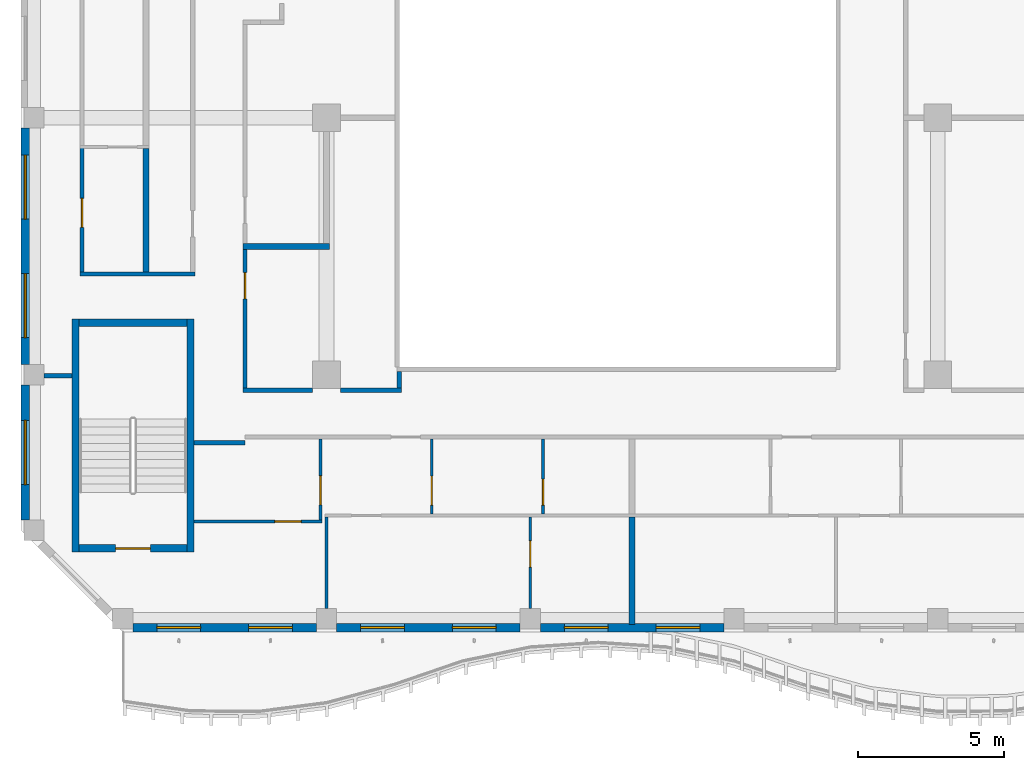
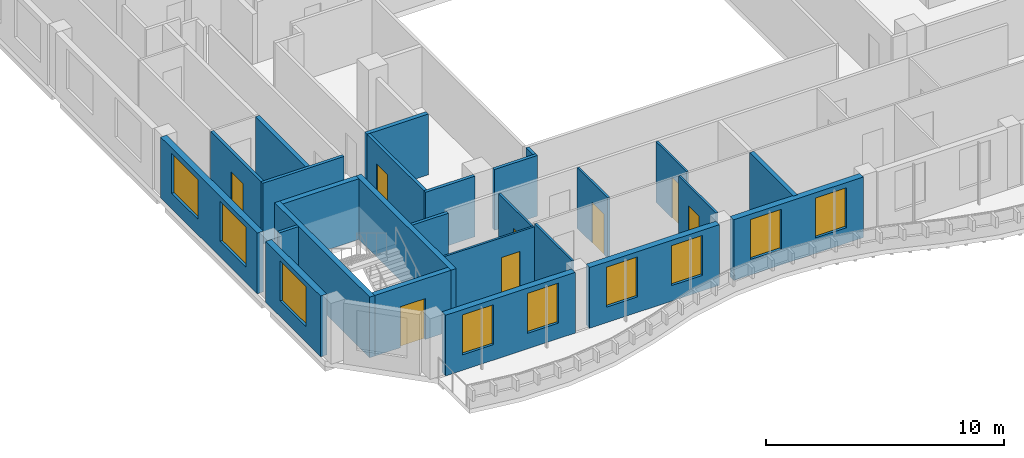
# One storey, part 2 of 18: 26 walls, 9 windows, 8 doors, 17 openings.
"""IFC4 building model written with IfcOpenShell, lengths in metres."""

from ifc_helpers import new_model, si_unit, direction, frame, frame_2d, origin, place, context, subcontext, project, spatial, rectangle, extrude, source, transform, mapped, material, layer, layer_set, type_object, element, fill, save


model = new_model("IFC4")

# Units and contexts
model_context = context("Model", 3, precision=1e-05, world=origin(), true_north=direction((0.0, 1.0)))
body_context = subcontext(model_context, "Body", "Model", "MODEL_VIEW")
ifc_project = project(units=[si_unit("LENGTHUNIT", "METRE"), si_unit("AREAUNIT", "SQUARE_METRE"), si_unit("VOLUMEUNIT", "CUBIC_METRE"), si_unit("PLANEANGLEUNIT", "RADIAN"), si_unit("MASSUNIT", "GRAM", prefix="KILO")], contexts=[model_context])

# Site, building, storey
site_placement = place(None, origin())
site = spatial("IfcSite", under=ifc_project, at=site_placement, CompositionType="ELEMENT")
building_placement = place(site_placement, origin())
building = spatial("IfcBuilding", under=site, at=building_placement, Name="Kilnfold Tower and Market Hall", CompositionType="ELEMENT")
storey_placement = place(building_placement, frame((0.0, 0.0, 249.199951171875)))
storey = spatial("IfcBuildingStorey", under=building, at=storey_placement, Name="L60", CompositionType="ELEMENT", Elevation=249.199951171875)

# Wall, opening, door
ifc_material_1 = material(Name="Gypsum board on steel studs", Category="steel")
ifc_layer_1 = layer(ifc_material_1, 0.14990234375)
ifc_layer_set_1 = layer_set([ifc_layer_1], Name="Gypsum board on steel studs")
wall_type_1 = type_object("IfcWallType", Name="WALL CORRIDOR 150", PredefinedType="PARTITIONING", material=ifc_layer_set_1)
wall_1_placement = place(storey_placement, frame((-17.39990234375, -6.125, 0.0), z_axis=(0.0, 0.0, 1.0), x_axis=(0.0, 1.0, 0.0)))
wall_1 = element("IfcWall", 1, at=wall_1_placement, inside=storey, type_object=wall_type_1, Name="Partition LY37.1", PredefinedType="PARTITIONING", context=body_context, shape_type="SweptSolid", body=[
    extrude(rectangle(XDim=4.25390625, YDim=0.14990234375, at=frame_2d((2.126953125, 0.0))), origin(), (0.0, 0.0, 1.0), 3.1201171875),
])
opening_1_placement = place(wall_1_placement, frame((1.52490234375, 0.0, 0.0)))
opening_1 = element("IfcOpeningElement", 2, at=opening_1_placement, cuts=wall_1, Name="Opening D1", PredefinedType="OPENING", context=body_context, shape_type="SweptSolid", body=[
    extrude(rectangle(XDim=1.0, YDim=2.10009765625, at=frame_2d((0.5, 1.050048828125))), frame((0.0, 0.0849609375, 0.0), z_axis=(0.0, -1.0, 0.0), x_axis=(1.0, 0.0, 0.0)), (0.0, 0.0, 1.0), 0.169921875),
])
ifc_material_2 = material(Name="Timber veneer door leaf in steel frame", Category="steel")
door_type_1 = type_object("IfcDoorType", Name="DOOR ENTRY 1000 X2100", OperationType="NOTDEFINED", PredefinedType="DOOR", material=ifc_material_2)
door_1_placement = place(opening_1_placement, origin())
door_1 = element("IfcDoor", 3, at=door_1_placement, inside=storey, type_object=door_type_1, Name="Door D1", OperationType="SINGLE_SWING_RIGHT", OverallHeight=2.10009765625, OverallWidth=1.0, PredefinedType="DOOR", context=body_context, shape_type="SweptSolid", body=[
    extrude(rectangle(XDim=1.0, YDim=2.10009765625, at=frame_2d((0.5, 1.050048828125))), frame((0.0, 0.02490234375, 0.0), z_axis=(0.0, -1.0, 0.0), x_axis=(1.0, 0.0, 0.0)), (0.0, 0.0, 1.0), 0.050048828125),
])
fill(opening_1, door_1)

# Walls
wall_2_placement = place(storey_placement, frame((-17.47509765625, -6.199951171875, 0.0), z_axis=(0.0, 0.0, 1.0), x_axis=(1.0, 0.0, 0.0)))
element("IfcWall", 4, at=wall_2_placement, inside=storey, type_object=wall_type_1, Name="Partition LY37.2", PredefinedType="PARTITIONING", context=body_context, shape_type="SweptSolid", body=[
    extrude(rectangle(XDim=3.9501953125, YDim=0.14990234375, at=frame_2d((1.97509765625, 0.0))), origin(), (0.0, 0.0, 1.0), 3.1201171875),
])
wall_3_placement = place(storey_placement, frame((-13.550048828125, -12.0, 0.0), z_axis=(0.0, 0.0, 1.0), x_axis=(1.0, 0.0, 0.0)))
element("IfcWall", 5, at=wall_3_placement, inside=storey, type_object=wall_type_1, Name="Partition LY37.10", PredefinedType="PARTITIONING", context=body_context, shape_type="SweptSolid", body=[
    extrude(rectangle(XDim=1.75, YDim=0.14990234375, at=frame_2d((0.875, 0.0))), origin(), (0.0, 0.0, 1.0), 3.1201171875),
])
wall_4_placement = place(storey_placement, frame((-18.699951171875, -9.699951171875, 0.0), z_axis=(0.0, 0.0, 1.0), x_axis=(1.0, 0.0, 0.0)))
element("IfcWall", 6, at=wall_4_placement, inside=storey, type_object=wall_type_1, Name="Partition LY37.11", PredefinedType="PARTITIONING", context=body_context, shape_type="SweptSolid", body=[
    extrude(rectangle(XDim=0.949951171875, YDim=0.14990234375, at=frame_2d((0.47509765625, 0.0))), origin(), (0.0, 0.0, 1.0), 3.1201171875),
])

# Wall, opening, door
wall_5_placement = place(storey_placement, frame((-11.800048828125, -10.125, 0.0), z_axis=(0.0, 0.0, 1.0), x_axis=(0.0, 1.0, 0.0)))
wall_5 = element("IfcWall", 7, at=wall_5_placement, inside=storey, type_object=wall_type_1, Name="Partition LY37.36", PredefinedType="PARTITIONING", context=body_context, shape_type="SweptSolid", body=[
    extrude(rectangle(XDim=4.784912109375, YDim=0.14990234375, at=frame_2d((2.392578125, 0.0))), origin(), (0.0, 0.0, 1.0), 3.1201171875),
])
opening_2_placement = place(wall_5_placement, frame((3.070068359375, 0.0, 0.0)))
opening_2 = element("IfcOpeningElement", 8, at=opening_2_placement, cuts=wall_5, Name="Opening D2", PredefinedType="OPENING", context=body_context, shape_type="SweptSolid", body=[
    extrude(rectangle(XDim=0.89990234375, YDim=2.10009765625, at=frame_2d((0.449951171875, 1.050048828125))), frame((0.0, 0.0849609375, 0.0), z_axis=(0.0, -1.0, 0.0), x_axis=(1.0, 0.0, 0.0)), (0.0, 0.0, 1.0), 0.169921875),
])
ifc_material_3 = material(Name="Timber veneer door leaf in steel frame", Category="steel")
door_type_2 = type_object("IfcDoorType", Name="DOOR ROOM 900 X2100", OperationType="NOTDEFINED", PredefinedType="DOOR", material=ifc_material_3)
door_2_placement = place(opening_2_placement, origin())
door_2 = element("IfcDoor", 9, at=door_2_placement, inside=storey, type_object=door_type_2, Name="Door D2", OperationType="SINGLE_SWING_LEFT", OverallHeight=2.10009765625, OverallWidth=0.89990234375, PredefinedType="DOOR", context=body_context, shape_type="SweptSolid", body=[
    extrude(rectangle(XDim=0.89990234375, YDim=2.10009765625, at=frame_2d((0.449951171875, 1.050048828125))), frame((0.0, 0.02490234375, 0.0), z_axis=(0.0, -1.0, 0.0), x_axis=(1.0, 0.0, 0.0)), (0.0, 0.0, 1.0), 0.050048828125),
])
fill(opening_2, door_2)

# Walls
wall_6_placement = place(storey_placement, frame((-8.52490234375, -10.199951171875, 0.0), z_axis=(0.0, 0.0, 1.0), x_axis=(1.0, 0.0, 0.0)))
element("IfcWall", 10, at=wall_6_placement, inside=storey, type_object=wall_type_1, Name="Partition LY37.37", PredefinedType="PARTITIONING", context=body_context, shape_type="SweptSolid", body=[
    extrude(rectangle(XDim=2.099853515625, YDim=0.14990234375, at=frame_2d((1.0498046875, 0.0))), origin(), (0.0, 0.0, 1.0), 3.1201171875),
])
wall_7_placement = place(storey_placement, frame((-11.875, -10.199951171875, 0.0), z_axis=(0.0, 0.0, 1.0), x_axis=(1.0, 0.0, 0.0)))
element("IfcWall", 11, at=wall_7_placement, inside=storey, type_object=wall_type_1, Name="Partition LY37.38", PredefinedType="PARTITIONING", context=body_context, shape_type="SweptSolid", body=[
    extrude(rectangle(XDim=2.39990234375, YDim=0.14990234375, at=frame_2d((1.199951171875, 0.0))), origin(), (0.0, 0.0, 1.0), 3.1201171875),
])
wall_8_placement = place(storey_placement, frame((-6.5, -9.550048828125, 0.0), z_axis=(0.0, 0.0, 1.0), x_axis=(0.0, -1.0, 0.0)))
element("IfcWall", 12, at=wall_8_placement, inside=storey, type_object=wall_type_1, Name="Partition LY37.39", PredefinedType="PARTITIONING", context=body_context, shape_type="SweptSolid", body=[
    extrude(rectangle(XDim=0.574951171875, YDim=0.14990234375, at=frame_2d((0.28759765625, 0.0))), origin(), (0.0, 0.0, 1.0), 3.1201171875),
])

# Wall, opening, door
ifc_material_4 = material(Name="Gypsum board on steel studs", Category="steel")
ifc_layer_2 = layer(ifc_material_4, 0.10009765625)
ifc_layer_set_2 = layer_set([ifc_layer_2], Name="Gypsum board on steel studs")
wall_type_2 = type_object("IfcWallType", Name="WALL PARTITION 100", PredefinedType="PARTITIONING", material=ifc_layer_set_2)
wall_9_placement = place(storey_placement, frame((-9.2099609375, -14.64990234375, 0.0), z_axis=(0.0, 0.0, 1.0), x_axis=(0.0, 1.0, 0.0)))
wall_9 = element("IfcWall", 13, at=wall_9_placement, inside=storey, type_object=wall_type_2, Name="Partition LY37.56", PredefinedType="PARTITIONING", context=body_context, shape_type="SweptSolid", body=[
    extrude(rectangle(XDim=2.77294921875, YDim=0.10009765625, at=frame_2d((1.386474609375, 0.0))), origin(), (0.0, 0.0, 1.0), 3.1201171875),
])
opening_3_placement = place(wall_9_placement, frame((0.51708984375, 0.0, 0.0)))
opening_3 = element("IfcOpeningElement", 14, at=opening_3_placement, cuts=wall_9, Name="Opening D1", PredefinedType="OPENING", context=body_context, shape_type="SweptSolid", body=[
    extrude(rectangle(XDim=1.0, YDim=2.10009765625, at=frame_2d((0.5, 1.050048828125))), frame((0.0, 0.06005859375, 0.0), z_axis=(0.0, -1.0, 0.0), x_axis=(1.0, 0.0, 0.0)), (0.0, 0.0, 1.0), 0.1201171875),
])
door_3_placement = place(opening_3_placement, origin())
door_3 = element("IfcDoor", 15, at=door_3_placement, inside=storey, type_object=door_type_1, Name="Door D1", OperationType="SINGLE_SWING_LEFT", OverallHeight=2.10009765625, OverallWidth=1.0, PredefinedType="DOOR", context=body_context, shape_type="SweptSolid", body=[
    extrude(rectangle(XDim=1.0, YDim=2.10009765625, at=frame_2d((0.5, 1.050048828125))), frame((0.0, 0.02490234375, 0.0), z_axis=(0.0, -1.0, 0.0), x_axis=(1.0, 0.0, 0.0)), (0.0, 0.0, 1.0), 0.050048828125),
])
fill(opening_3, door_3)

wall_10_placement = place(storey_placement, frame((-13.550048828125, -14.699951171875, 0.0), z_axis=(0.0, 0.0, 1.0), x_axis=(1.0, 0.0, 0.0)))
wall_10 = element("IfcWall", 16, at=wall_10_placement, inside=storey, type_object=wall_type_2, Name="Partition LY37.57", PredefinedType="PARTITIONING", context=body_context, shape_type="SweptSolid", body=[
    extrude(rectangle(XDim=4.39013671875, YDim=0.10009765625, at=frame_2d((2.195068359375, 0.0))), origin(), (0.0, 0.0, 1.0), 3.1201171875),
])
opening_4_placement = place(wall_10_placement, frame((2.77490234375, 0.0, 0.0)))
opening_4 = element("IfcOpeningElement", 17, at=opening_4_placement, cuts=wall_10, Name="Opening D2", PredefinedType="OPENING", context=body_context, shape_type="SweptSolid", body=[
    extrude(rectangle(XDim=0.89990234375, YDim=2.10009765625, at=frame_2d((0.449951171875, 1.050048828125))), frame((0.0, 0.06005859375, 0.0), z_axis=(0.0, -1.0, 0.0), x_axis=(1.0, 0.0, 0.0)), (0.0, 0.0, 1.0), 0.1201171875),
])
door_4_placement = place(opening_4_placement, origin())
door_4 = element("IfcDoor", 18, at=door_4_placement, inside=storey, type_object=door_type_2, Name="Door D2", OperationType="SINGLE_SWING_RIGHT", OverallHeight=2.10009765625, OverallWidth=0.89990234375, PredefinedType="DOOR", context=body_context, shape_type="SweptSolid", body=[
    extrude(rectangle(XDim=0.89990234375, YDim=2.10009765625, at=frame_2d((0.449951171875, 1.050048828125))), frame((0.0, 0.02490234375, 0.0), z_axis=(0.0, -1.0, 0.0), x_axis=(1.0, 0.0, 0.0)), (0.0, 0.0, 1.0), 0.050048828125),
])
fill(opening_4, door_4)

wall_11_placement = place(storey_placement, frame((-5.385009765625, -14.449951171875, 0.0), z_axis=(0.0, 0.0, 1.0), x_axis=(0.0, 1.0, 0.0)))
wall_11 = element("IfcWall", 19, at=wall_11_placement, inside=storey, type_object=wall_type_2, Name="Partition LY37.58", PredefinedType="PARTITIONING", context=body_context, shape_type="SweptSolid", body=[
    extrude(rectangle(XDim=2.572998046875, YDim=0.10009765625, at=frame_2d((1.28662109375, 0.0))), origin(), (0.0, 0.0, 1.0), 3.1201171875),
])
opening_5_placement = place(wall_11_placement, frame((0.306884765625, 0.0, 0.0)))
opening_5 = element("IfcOpeningElement", 20, at=opening_5_placement, cuts=wall_11, Name="Opening D1", PredefinedType="OPENING", context=body_context, shape_type="SweptSolid", body=[
    extrude(rectangle(XDim=1.0, YDim=2.10009765625, at=frame_2d((0.5, 1.050048828125))), frame((0.0, 0.06005859375, 0.0), z_axis=(0.0, -1.0, 0.0), x_axis=(1.0, 0.0, 0.0)), (0.0, 0.0, 1.0), 0.1201171875),
])
door_5_placement = place(opening_5_placement, origin())
door_5 = element("IfcDoor", 21, at=door_5_placement, inside=storey, type_object=door_type_1, Name="Door D1", OperationType="SINGLE_SWING_RIGHT", OverallHeight=2.10009765625, OverallWidth=1.0, PredefinedType="DOOR", context=body_context, shape_type="SweptSolid", body=[
    extrude(rectangle(XDim=1.0, YDim=2.10009765625, at=frame_2d((0.5, 1.050048828125))), frame((0.0, 0.02490234375, 0.0), z_axis=(0.0, -1.0, 0.0), x_axis=(1.0, 0.0, 0.0)), (0.0, 0.0, 1.0), 0.050048828125),
])
fill(opening_5, door_5)

wall_12_placement = place(storey_placement, frame((-1.56005859375, -14.449951171875, 0.0), z_axis=(0.0, 0.0, 1.0), x_axis=(0.0, 1.0, 0.0)))
wall_12 = element("IfcWall", 22, at=wall_12_placement, inside=storey, type_object=wall_type_2, Name="Partition LY37.60", PredefinedType="PARTITIONING", context=body_context, shape_type="SweptSolid", body=[
    extrude(rectangle(XDim=2.572998046875, YDim=0.10009765625, at=frame_2d((1.28662109375, 0.0))), origin(), (0.0, 0.0, 1.0), 3.1201171875),
])
opening_6_placement = place(wall_12_placement, frame((0.305908203125, 0.0, 0.0)))
opening_6 = element("IfcOpeningElement", 23, at=opening_6_placement, cuts=wall_12, Name="Opening D2", PredefinedType="OPENING", context=body_context, shape_type="SweptSolid", body=[
    extrude(rectangle(XDim=0.89990234375, YDim=2.10009765625, at=frame_2d((0.449951171875, 1.050048828125))), frame((0.0, 0.06005859375, 0.0), z_axis=(0.0, -1.0, 0.0), x_axis=(1.0, 0.0, 0.0)), (0.0, 0.0, 1.0), 0.1201171875),
])
door_6_placement = place(opening_6_placement, origin())
door_6 = element("IfcDoor", 24, at=door_6_placement, inside=storey, type_object=door_type_2, Name="Door D2", OperationType="SINGLE_SWING_RIGHT", OverallHeight=2.10009765625, OverallWidth=0.89990234375, PredefinedType="DOOR", context=body_context, shape_type="SweptSolid", body=[
    extrude(rectangle(XDim=0.89990234375, YDim=2.10009765625, at=frame_2d((0.449951171875, 1.050048828125))), frame((0.0, 0.02490234375, 0.0), z_axis=(0.0, -1.0, 0.0), x_axis=(1.0, 0.0, 0.0)), (0.0, 0.0, 1.0), 0.050048828125),
])
fill(opening_6, door_6)

# Wall
wall_13_placement = place(storey_placement, frame((-9.0, -17.699951171875, 0.0), z_axis=(0.0, 0.0, 1.0), x_axis=(0.0, 1.0, 0.0)))
element("IfcWall", 25, at=wall_13_placement, inside=storey, type_object=wall_type_2, Name="Partition LY37.62", PredefinedType="PARTITIONING", context=body_context, shape_type="SweptSolid", body=[
    extrude(rectangle(XDim=3.14794921875, YDim=0.10009765625, at=frame_2d((1.573974609375, 0.0))), origin(), (0.0, 0.0, 1.0), 3.1201171875),
])

# Wall, opening, door
wall_14_placement = place(storey_placement, frame((-2.0, -17.699951171875, 0.0), z_axis=(0.0, 0.0, 1.0), x_axis=(0.0, 1.0, 0.0)))
wall_14 = element("IfcWall", 26, at=wall_14_placement, inside=storey, type_object=wall_type_2, Name="Partition LY37.63", PredefinedType="PARTITIONING", context=body_context, shape_type="SweptSolid", body=[
    extrude(rectangle(XDim=3.14794921875, YDim=0.10009765625, at=frame_2d((1.573974609375, 0.0))), origin(), (0.0, 0.0, 1.0), 3.1201171875),
])
opening_7_placement = place(wall_14_placement, frame((1.431884765625, 0.0, 0.0)))
opening_7 = element("IfcOpeningElement", 27, at=opening_7_placement, cuts=wall_14, Name="Opening D2", PredefinedType="OPENING", context=body_context, shape_type="SweptSolid", body=[
    extrude(rectangle(XDim=0.89990234375, YDim=2.10009765625, at=frame_2d((0.449951171875, 1.050048828125))), frame((0.0, 0.06005859375, 0.0), z_axis=(0.0, -1.0, 0.0), x_axis=(1.0, 0.0, 0.0)), (0.0, 0.0, 1.0), 0.1201171875),
])
door_7_placement = place(opening_7_placement, origin())
door_7 = element("IfcDoor", 28, at=door_7_placement, inside=storey, type_object=door_type_2, Name="Door D2", OperationType="SINGLE_SWING_LEFT", OverallHeight=2.10009765625, OverallWidth=0.89990234375, PredefinedType="DOOR", context=body_context, shape_type="SweptSolid", body=[
    extrude(rectangle(XDim=0.89990234375, YDim=2.10009765625, at=frame_2d((0.449951171875, 1.050048828125))), frame((0.0, 0.02490234375, 0.0), z_axis=(0.0, -1.0, 0.0), x_axis=(1.0, 0.0, 0.0)), (0.0, 0.0, 1.0), 0.050048828125),
])
fill(opening_7, door_7)

# Walls
ifc_material_5 = material(Name="Gypsum board on steel studs", Category="steel")
ifc_layer_3 = layer(ifc_material_5, 0.199951171875)
ifc_layer_set_3 = layer_set([ifc_layer_3], Name="Gypsum board on steel studs")
wall_type_3 = type_object("IfcWallType", Name="WALL PARTY 200", PredefinedType="PARTITIONING", material=ifc_layer_set_3)
wall_15_placement = place(storey_placement, frame((-15.199951171875, -6.123046875, 0.0), z_axis=(0.0, 0.0, 1.0), x_axis=(0.0, 1.0, 0.0)))
element("IfcWall", 29, at=wall_15_placement, inside=storey, type_object=wall_type_3, Name="Partition LY37.51", PredefinedType="PARTITIONING", context=body_context, shape_type="SweptSolid", body=[
    extrude(rectangle(XDim=4.241943359375, YDim=0.199951171875, at=frame_2d((2.12109375, 0.0))), origin(), (0.0, 0.0, 1.0), 3.1201171875),
])
wall_16_placement = place(storey_placement, frame((1.5, -18.25, 0.0), z_axis=(0.0, 0.0, 1.0), x_axis=(0.0, 1.0, 0.0)))
element("IfcWall", 30, at=wall_16_placement, inside=storey, type_object=wall_type_3, Name="Partition LY37.64", PredefinedType="PARTITIONING", context=body_context, shape_type="SweptSolid", body=[
    extrude(rectangle(XDim=3.697998046875, YDim=0.199951171875, at=frame_2d((1.84912109375, 0.0))), origin(), (0.0, 0.0, 1.0), 3.1201171875),
])
wall_17_placement = place(storey_placement, frame((-11.873046875, -5.25, 0.0), z_axis=(0.0, 0.0, 1.0), x_axis=(1.0, 0.0, 0.0)))
element("IfcWall", 31, at=wall_17_placement, inside=storey, type_object=wall_type_3, Name="Partition LY37.102", PredefinedType="PARTITIONING", context=body_context, shape_type="SweptSolid", body=[
    extrude(rectangle(XDim=2.97314453125, YDim=0.199951171875, at=frame_2d((1.486572265625, 0.0))), origin(), (0.0, 0.0, 1.0), 3.1201171875),
])

# Wall, opening, door
ifc_material_6 = material(Name="Concrete C60", Category="concrete")
ifc_layer_4 = layer(ifc_material_6, 0.25)
ifc_layer_set_4 = layer_set([ifc_layer_4], Name="Concrete C60")
wall_type_4 = type_object("IfcWallType", Name="CORE WALL 250 C60", PredefinedType="SHEAR", material=ifc_layer_set_4)
shared_shape_1 = source(origin(), body_context, "Body", "SweptSolid", [
    extrude(rectangle(XDim=3.699951171875, YDim=0.25, at=frame_2d((1.85009765625, 0.0))), origin(), (0.0, 0.0, 1.0), 3.1201171875),
])
wall_18_placement = place(storey_placement, frame((-17.5, -15.625, 0.0), z_axis=(0.0, 0.0, 1.0), x_axis=(1.0, 0.0, 0.0)))
wall_18 = element("IfcWall", 32, at=wall_18_placement, inside=storey, type_object=wall_type_4, Name="Stair enclosure ST3", PredefinedType="SHEAR", context=body_context, shape_type="MappedRepresentation", body=[
    mapped(shared_shape_1, transform((0.0, 0.0, 0.0))),
])
opening_8_placement = place(wall_18_placement, frame((1.25, 0.0, 0.0)))
opening_8 = element("IfcOpeningElement", 33, at=opening_8_placement, cuts=wall_18, Name="Opening SD1", PredefinedType="OPENING", context=body_context, shape_type="SweptSolid", body=[
    extrude(rectangle(XDim=1.199951171875, YDim=2.10009765625, at=frame_2d((0.60009765625, 1.050048828125))), frame((0.0, 0.135009765625, 0.0), z_axis=(0.0, -1.0, 0.0), x_axis=(1.0, 0.0, 0.0)), (0.0, 0.0, 1.0), 0.27001953125),
])
ifc_material_7 = material(Name="Steel door set with fire-resisting leaf", Category="steel")
door_type_3 = type_object("IfcDoorType", Name="STAIR FLOOR DOOR 1200X2100", OperationType="NOTDEFINED", PredefinedType="DOOR", material=ifc_material_7)
door_8_placement = place(opening_8_placement, origin())
door_8 = element("IfcDoor", 34, at=door_8_placement, inside=storey, type_object=door_type_3, Name="Exit stair ST3 door", OperationType="DOUBLE_DOOR_SINGLE_SWING", OverallHeight=2.10009765625, OverallWidth=1.199951171875, PredefinedType="DOOR", context=body_context, shape_type="SweptSolid", body=[
    extrude(rectangle(XDim=1.199951171875, YDim=2.10009765625, at=frame_2d((0.60009765625, 1.050048828125))), frame((0.0, 0.02490234375, 0.0), z_axis=(0.0, -1.0, 0.0), x_axis=(1.0, 0.0, 0.0)), (0.0, 0.0, 1.0), 0.050048828125),
])
fill(opening_8, door_8)

# Walls
wall_19_placement = place(storey_placement, frame((-17.5, -7.875, 0.0), z_axis=(0.0, 0.0, 1.0), x_axis=(1.0, 0.0, 0.0)))
element("IfcWall", 35, at=wall_19_placement, inside=storey, type_object=wall_type_4, Name="Stair enclosure ST3", PredefinedType="SHEAR", context=body_context, shape_type="MappedRepresentation", body=[
    mapped(shared_shape_1, transform((0.0, 0.0, 0.0))),
])
shared_shape_2 = source(origin(), body_context, "Body", "SweptSolid", [
    extrude(rectangle(XDim=8.0, YDim=0.25, at=frame_2d((4.0, 0.0))), origin(), (0.0, 0.0, 1.0), 3.1201171875),
])
for number, where, z_axis, x_axis, name in (
    (36, (-17.625, -15.75, 0.0), (0.0, 0.0, 1.0), (0.0, 1.0, 0.0), "Stair enclosure ST3"),
    (37, (-13.675048828125, -15.75, 0.0), (0.0, 0.0, 1.0), (0.0, 1.0, 0.0), "Stair enclosure ST3"),
):
    element("IfcWall", number, at=place(storey_placement, frame(where, z_axis=z_axis, x_axis=x_axis)), inside=storey, type_object=wall_type_4, Name=name, PredefinedType="SHEAR", context=body_context, shape_type="MappedRepresentation", body=[
        mapped(shared_shape_2, transform((0.0, 0.0, 0.0))),
    ])

# Wall, openings, windows
ifc_material_8 = material(Name="Precast concrete C50/60", Category="concrete")
ifc_layer_5 = layer(ifc_material_8, 0.300048828125)
ifc_layer_set_5 = layer_set([ifc_layer_5], Name="Precast concrete C50/60")
wall_type_5 = type_object("IfcWallType", Name="PRECAST WALL 300", PredefinedType="SOLIDWALL", material=ifc_layer_set_5)
shared_shape_3 = source(origin(), body_context, "Body", "SweptSolid", [
    extrude(rectangle(XDim=6.2998046875, YDim=0.300048828125, at=frame_2d((3.14990234375, 0.0))), origin(), (0.0, 0.0, 1.0), 3.1201171875),
])
wall_20_placement = place(storey_placement, frame((-15.64990234375, -18.35009765625, 0.0), z_axis=(0.0, 0.0, 1.0), x_axis=(1.0, 0.0, 0.0)))
wall_20 = element("IfcWall", 38, at=wall_20_placement, inside=storey, type_object=wall_type_5, Name="External wall L60 S", PredefinedType="SOLIDWALL", context=body_context, shape_type="MappedRepresentation", body=[
    mapped(shared_shape_3, transform((0.0, 0.0, 0.0))),
])
opening_9_placement = place(wall_20_placement, frame((0.824951171875, 0.0, 0.800048828125)))
opening_9 = element("IfcOpeningElement", 39, at=opening_9_placement, cuts=wall_20, Name="Opening W5", PredefinedType="OPENING", context=body_context, shape_type="SweptSolid", body=[
    extrude(rectangle(XDim=1.5, YDim=2.050048828125, at=frame_2d((0.75, 1.02490234375))), frame((0.0, 0.16015625, 0.0), z_axis=(0.0, -1.0, 0.0), x_axis=(1.0, 0.0, 0.0)), (0.0, 0.0, 1.0), 0.320068359375),
])
opening_10_placement = place(wall_20_placement, frame((3.97509765625, 0.0, 0.800048828125)))
opening_10 = element("IfcOpeningElement", 40, at=opening_10_placement, cuts=wall_20, Name="Opening W5", PredefinedType="OPENING", context=body_context, shape_type="SweptSolid", body=[
    extrude(rectangle(XDim=1.5, YDim=2.050048828125, at=frame_2d((0.75, 1.02490234375))), frame((0.0, 0.16015625, 0.0), z_axis=(0.0, -1.0, 0.0), x_axis=(1.0, 0.0, 0.0)), (0.0, 0.0, 1.0), 0.320068359375),
])
ifc_material_9 = material(Name="Aluminium frame and double glazing", Category="aluminium")
window_type_1 = type_object("IfcWindowType", Name="WINDOW W5 1500X2050", PartitioningType="SINGLE_PANEL", PredefinedType="WINDOW", material=ifc_material_9)
window_1_placement = place(opening_9_placement, origin())
window_1 = element("IfcWindow", 41, at=window_1_placement, inside=storey, type_object=window_type_1, Name="Window W5 L60 S-1", OverallHeight=2.050048828125, OverallWidth=1.5, PartitioningType="SINGLE_PANEL", PredefinedType="WINDOW", context=body_context, shape_type="SweptSolid", body=[
    extrude(rectangle(XDim=1.5, YDim=2.050048828125, at=frame_2d((0.75, 1.02490234375))), frame((0.0, 0.030029296875, 0.0), z_axis=(0.0, -1.0, 0.0), x_axis=(1.0, 0.0, 0.0)), (0.0, 0.0, 1.0), 0.06005859375),
])
fill(opening_9, window_1)
window_2_placement = place(opening_10_placement, origin())
window_2 = element("IfcWindow", 42, at=window_2_placement, inside=storey, type_object=window_type_1, Name="Window W5 L60 S-2", OverallHeight=2.050048828125, OverallWidth=1.5, PartitioningType="SINGLE_PANEL", PredefinedType="WINDOW", context=body_context, shape_type="SweptSolid", body=[
    extrude(rectangle(XDim=1.5, YDim=2.050048828125, at=frame_2d((0.75, 1.02490234375))), frame((0.0, 0.030029296875, 0.0), z_axis=(0.0, -1.0, 0.0), x_axis=(1.0, 0.0, 0.0)), (0.0, 0.0, 1.0), 0.06005859375),
])
fill(opening_10, window_2)

wall_21_placement = place(storey_placement, frame((-8.64990234375, -18.35009765625, 0.0), z_axis=(0.0, 0.0, 1.0), x_axis=(1.0, 0.0, 0.0)))
wall_21 = element("IfcWall", 43, at=wall_21_placement, inside=storey, type_object=wall_type_5, Name="External wall L60 S", PredefinedType="SOLIDWALL", context=body_context, shape_type="MappedRepresentation", body=[
    mapped(shared_shape_3, transform((0.0, 0.0, 0.0))),
])
opening_11_placement = place(wall_21_placement, frame((0.824951171875, 0.0, 0.800048828125)))
opening_11 = element("IfcOpeningElement", 44, at=opening_11_placement, cuts=wall_21, Name="Opening W5", PredefinedType="OPENING", context=body_context, shape_type="SweptSolid", body=[
    extrude(rectangle(XDim=1.5, YDim=2.050048828125, at=frame_2d((0.75, 1.02490234375))), frame((0.0, 0.16015625, 0.0), z_axis=(0.0, -1.0, 0.0), x_axis=(1.0, 0.0, 0.0)), (0.0, 0.0, 1.0), 0.320068359375),
])
opening_12_placement = place(wall_21_placement, frame((3.97509765625, 0.0, 0.800048828125)))
opening_12 = element("IfcOpeningElement", 45, at=opening_12_placement, cuts=wall_21, Name="Opening W5", PredefinedType="OPENING", context=body_context, shape_type="SweptSolid", body=[
    extrude(rectangle(XDim=1.5, YDim=2.050048828125, at=frame_2d((0.75, 1.02490234375))), frame((0.0, 0.16015625, 0.0), z_axis=(0.0, -1.0, 0.0), x_axis=(1.0, 0.0, 0.0)), (0.0, 0.0, 1.0), 0.320068359375),
])
window_3_placement = place(opening_11_placement, origin())
window_3 = element("IfcWindow", 46, at=window_3_placement, inside=storey, type_object=window_type_1, Name="Window W5 L60 S-1", OverallHeight=2.050048828125, OverallWidth=1.5, PartitioningType="SINGLE_PANEL", PredefinedType="WINDOW", context=body_context, shape_type="SweptSolid", body=[
    extrude(rectangle(XDim=1.5, YDim=2.050048828125, at=frame_2d((0.75, 1.02490234375))), frame((0.0, 0.030029296875, 0.0), z_axis=(0.0, -1.0, 0.0), x_axis=(1.0, 0.0, 0.0)), (0.0, 0.0, 1.0), 0.06005859375),
])
fill(opening_11, window_3)
window_4_placement = place(opening_12_placement, origin())
window_4 = element("IfcWindow", 47, at=window_4_placement, inside=storey, type_object=window_type_1, Name="Window W5 L60 S-2", OverallHeight=2.050048828125, OverallWidth=1.5, PartitioningType="SINGLE_PANEL", PredefinedType="WINDOW", context=body_context, shape_type="SweptSolid", body=[
    extrude(rectangle(XDim=1.5, YDim=2.050048828125, at=frame_2d((0.75, 1.02490234375))), frame((0.0, 0.030029296875, 0.0), z_axis=(0.0, -1.0, 0.0), x_axis=(1.0, 0.0, 0.0)), (0.0, 0.0, 1.0), 0.06005859375),
])
fill(opening_12, window_4)

wall_22_placement = place(storey_placement, frame((-1.64990234375, -18.35009765625, 0.0), z_axis=(0.0, 0.0, 1.0), x_axis=(1.0, 0.0, 0.0)))
wall_22 = element("IfcWall", 48, at=wall_22_placement, inside=storey, type_object=wall_type_5, Name="External wall L60 S", PredefinedType="SOLIDWALL", context=body_context, shape_type="MappedRepresentation", body=[
    mapped(shared_shape_3, transform((0.0, 0.0, 0.0))),
])
opening_13_placement = place(wall_22_placement, frame((0.824951171875, 0.0, 0.800048828125)))
opening_13 = element("IfcOpeningElement", 49, at=opening_13_placement, cuts=wall_22, Name="Opening W5", PredefinedType="OPENING", context=body_context, shape_type="SweptSolid", body=[
    extrude(rectangle(XDim=1.5, YDim=2.050048828125, at=frame_2d((0.75, 1.02490234375))), frame((0.0, 0.16015625, 0.0), z_axis=(0.0, -1.0, 0.0), x_axis=(1.0, 0.0, 0.0)), (0.0, 0.0, 1.0), 0.320068359375),
])
opening_14_placement = place(wall_22_placement, frame((3.97509765625, 0.0, 0.800048828125)))
opening_14 = element("IfcOpeningElement", 50, at=opening_14_placement, cuts=wall_22, Name="Opening W5", PredefinedType="OPENING", context=body_context, shape_type="SweptSolid", body=[
    extrude(rectangle(XDim=1.5, YDim=2.050048828125, at=frame_2d((0.75, 1.02490234375))), frame((0.0, 0.16015625, 0.0), z_axis=(0.0, -1.0, 0.0), x_axis=(1.0, 0.0, 0.0)), (0.0, 0.0, 1.0), 0.320068359375),
])
window_5_placement = place(opening_13_placement, origin())
window_5 = element("IfcWindow", 51, at=window_5_placement, inside=storey, type_object=window_type_1, Name="Window W5 L60 S-1", OverallHeight=2.050048828125, OverallWidth=1.5, PartitioningType="SINGLE_PANEL", PredefinedType="WINDOW", context=body_context, shape_type="SweptSolid", body=[
    extrude(rectangle(XDim=1.5, YDim=2.050048828125, at=frame_2d((0.75, 1.02490234375))), frame((0.0, 0.030029296875, 0.0), z_axis=(0.0, -1.0, 0.0), x_axis=(1.0, 0.0, 0.0)), (0.0, 0.0, 1.0), 0.06005859375),
])
fill(opening_13, window_5)
window_6_placement = place(opening_14_placement, origin())
window_6 = element("IfcWindow", 52, at=window_6_placement, inside=storey, type_object=window_type_1, Name="Window W5 L60 S-2", OverallHeight=2.050048828125, OverallWidth=1.5, PartitioningType="SINGLE_PANEL", PredefinedType="WINDOW", context=body_context, shape_type="SweptSolid", body=[
    extrude(rectangle(XDim=1.5, YDim=2.050048828125, at=frame_2d((0.75, 1.02490234375))), frame((0.0, 0.030029296875, 0.0), z_axis=(0.0, -1.0, 0.0), x_axis=(1.0, 0.0, 0.0)), (0.0, 0.0, 1.0), 0.06005859375),
])
fill(opening_14, window_6)

shared_shape_4 = source(origin(), body_context, "Body", "SweptSolid", [
    extrude(rectangle(XDim=8.13330078125, YDim=0.300048828125, at=frame_2d((4.066650390625, 0.0))), origin(), (0.0, 0.0, 1.0), 3.1201171875),
])
wall_23_placement = place(storey_placement, frame((-19.35009765625, -1.183349609375, 0.0), z_axis=(0.0, 0.0, 1.0), x_axis=(0.0, -1.0, 0.0)))
wall_23 = element("IfcWall", 53, at=wall_23_placement, inside=storey, type_object=wall_type_5, Name="External wall L60 W", PredefinedType="SOLIDWALL", context=body_context, shape_type="MappedRepresentation", body=[
    mapped(shared_shape_4, transform((0.0, 0.0, 0.0))),
])
opening_15_placement = place(wall_23_placement, frame((0.933349609375, 0.0, 0.800048828125)))
opening_15 = element("IfcOpeningElement", 54, at=opening_15_placement, cuts=wall_23, Name="Opening W3", PredefinedType="OPENING", context=body_context, shape_type="SweptSolid", body=[
    extrude(rectangle(XDim=2.199951171875, YDim=2.050048828125, at=frame_2d((1.10009765625, 1.02490234375))), frame((0.0, 0.16015625, 0.0), z_axis=(0.0, -1.0, 0.0), x_axis=(1.0, 0.0, 0.0)), (0.0, 0.0, 1.0), 0.320068359375),
])
opening_16_placement = place(wall_23_placement, frame((5.0, 0.0, 0.800048828125)))
opening_16 = element("IfcOpeningElement", 55, at=opening_16_placement, cuts=wall_23, Name="Opening W3", PredefinedType="OPENING", context=body_context, shape_type="SweptSolid", body=[
    extrude(rectangle(XDim=2.199951171875, YDim=2.050048828125, at=frame_2d((1.10009765625, 1.02490234375))), frame((0.0, 0.16015625, 0.0), z_axis=(0.0, -1.0, 0.0), x_axis=(1.0, 0.0, 0.0)), (0.0, 0.0, 1.0), 0.320068359375),
])
ifc_material_10 = material(Name="Aluminium frame and double glazing", Category="aluminium")
window_type_2 = type_object("IfcWindowType", Name="WINDOW W3 2200X2050", PartitioningType="SINGLE_PANEL", PredefinedType="WINDOW", material=ifc_material_10)
window_7_placement = place(opening_15_placement, origin())
window_7 = element("IfcWindow", 56, at=window_7_placement, inside=storey, type_object=window_type_2, Name="Window W3 L60 W-1", OverallHeight=2.050048828125, OverallWidth=2.199951171875, PartitioningType="SINGLE_PANEL", PredefinedType="WINDOW", context=body_context, shape_type="SweptSolid", body=[
    extrude(rectangle(XDim=2.199951171875, YDim=2.050048828125, at=frame_2d((1.10009765625, 1.02490234375))), frame((0.0, 0.030029296875, 0.0), z_axis=(0.0, -1.0, 0.0), x_axis=(1.0, 0.0, 0.0)), (0.0, 0.0, 1.0), 0.06005859375),
])
fill(opening_15, window_7)
window_8_placement = place(opening_16_placement, origin())
window_8 = element("IfcWindow", 57, at=window_8_placement, inside=storey, type_object=window_type_2, Name="Window W3 L60 W-2", OverallHeight=2.050048828125, OverallWidth=2.199951171875, PartitioningType="SINGLE_PANEL", PredefinedType="WINDOW", context=body_context, shape_type="SweptSolid", body=[
    extrude(rectangle(XDim=2.199951171875, YDim=2.050048828125, at=frame_2d((1.10009765625, 1.02490234375))), frame((0.0, 0.030029296875, 0.0), z_axis=(0.0, -1.0, 0.0), x_axis=(1.0, 0.0, 0.0)), (0.0, 0.0, 1.0), 0.06005859375),
])
fill(opening_16, window_8)

# Wall, opening, window
shared_shape_5 = source(origin(), body_context, "Body", "SweptSolid", [
    extrude(rectangle(XDim=4.63330078125, YDim=0.300048828125, at=frame_2d((2.316650390625, 0.0))), origin(), (0.0, 0.0, 1.0), 3.1201171875),
])
wall_24_placement = place(storey_placement, frame((-19.35009765625, -10.0166015625, 0.0), z_axis=(0.0, 0.0, 1.0), x_axis=(0.0, -1.0, 0.0)))
wall_24 = element("IfcWall", 58, at=wall_24_placement, inside=storey, type_object=wall_type_5, Name="External wall L60 W", PredefinedType="SOLIDWALL", context=body_context, shape_type="MappedRepresentation", body=[
    mapped(shared_shape_5, transform((0.0, 0.0, 0.0))),
])
opening_17_placement = place(wall_24_placement, frame((1.216552734375, 0.0, 0.800048828125)))
opening_17 = element("IfcOpeningElement", 59, at=opening_17_placement, cuts=wall_24, Name="Opening W3", PredefinedType="OPENING", context=body_context, shape_type="SweptSolid", body=[
    extrude(rectangle(XDim=2.199951171875, YDim=2.050048828125, at=frame_2d((1.10009765625, 1.02490234375))), frame((0.0, 0.16015625, 0.0), z_axis=(0.0, -1.0, 0.0), x_axis=(1.0, 0.0, 0.0)), (0.0, 0.0, 1.0), 0.320068359375),
])
window_9_placement = place(opening_17_placement, origin())
window_9 = element("IfcWindow", 60, at=window_9_placement, inside=storey, type_object=window_type_2, Name="Window W3 L60 W-1", OverallHeight=2.050048828125, OverallWidth=2.199951171875, PartitioningType="SINGLE_PANEL", PredefinedType="WINDOW", context=body_context, shape_type="SweptSolid", body=[
    extrude(rectangle(XDim=2.199951171875, YDim=2.050048828125, at=frame_2d((1.10009765625, 1.02490234375))), frame((0.0, 0.030029296875, 0.0), z_axis=(0.0, -1.0, 0.0), x_axis=(1.0, 0.0, 0.0)), (0.0, 0.0, 1.0), 0.06005859375),
])
fill(opening_17, window_9)

save(model, "model.ifc")
